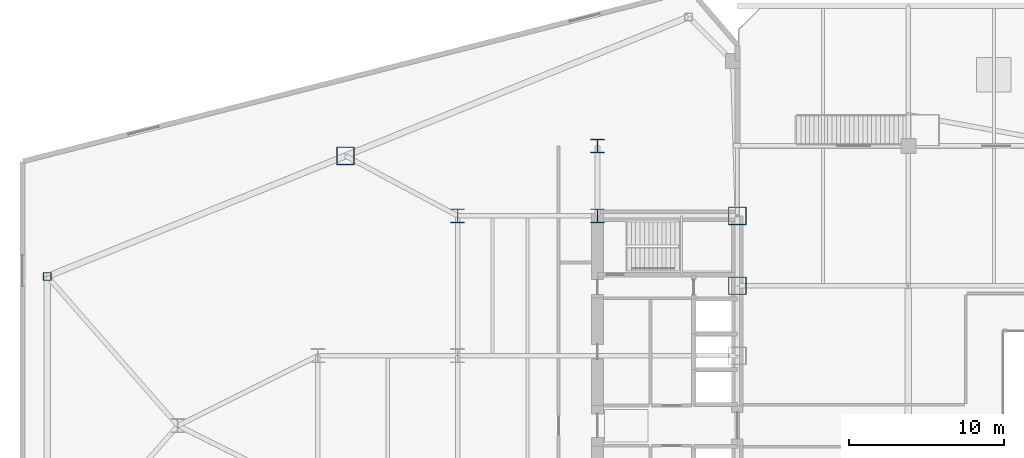
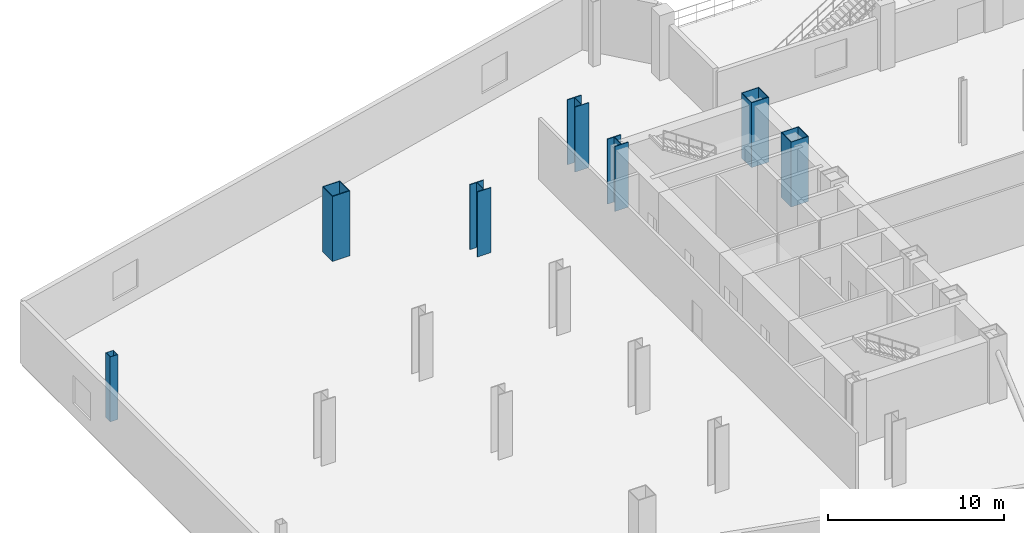
# One storey, part 3 of 27: 7 columns.
"""IFC4 building model written with IfcOpenShell, lengths in metres."""

import ifcopenshell
import ifcopenshell.guid

model = None  # the IFC model being written
_history = None  # IfcOwnerHistory: only IFC2X3 demands one
_inside = {}  # id of a spatial element -> (the spatial element, [elements in it])
_under = {}  # id of a project, library or spatial element -> (it, [spatial elements below it])
_declared = {}  # id of a project -> (the project, [libraries it declares])
_typed = {}  # id of a type object -> (the type object, [elements of that type])
_made_of = {}  # id of a material, layer set ... -> (it, [elements and type objects made of it])


def new_model(schema):
    """Start an empty IFC model of exactly this schema.

    Asked for "IFC4X3", IfcOpenShell would pick the latest addendum, in which some entities
    have other attributes; the version numbers below select the first issue.
    IFC2X3 requires an IfcOwnerHistory on every rooted entity: one is made here for all.
    """
    global model, _history
    if schema == "IFC4X3":
        model = ifcopenshell.file(schema_version=(4, 3, 0, 0))
    else:
        model = ifcopenshell.file(schema=schema)
    _inside.clear()
    _under.clear()
    _declared.clear()
    _typed.clear()
    _made_of.clear()
    _history = None
    if model.schema == "IFC2X3":
        org = make("IfcOrganization", Name="unknown")
        user = make(
            "IfcPersonAndOrganization",
            ThePerson=make("IfcPerson", FamilyName="unknown"),
            TheOrganization=org,
        )
        app = make(
            "IfcApplication",
            ApplicationDeveloper=org,
            Version="unknown",
            ApplicationFullName="unknown",
            ApplicationIdentifier="unknown",
        )
        _history = make(
            "IfcOwnerHistory",
            OwningUser=user,
            OwningApplication=app,
            ChangeAction="ADDED",
            CreationDate=0,
        )
    return model


def make(cls, **values):
    """One entity of the class cls with the attributes given. An attribute that is None is left unset."""
    return model.create_entity(
        cls, **{name: value for name, value in values.items() if value is not None}
    )


def rooted(cls, **values):
    """An entity with a GlobalId (a new one), such as an element, a storey or a relation."""
    return make(cls, GlobalId=ifcopenshell.guid.new(), OwnerHistory=_history, **values)


def si_unit(unit_type, name, prefix=None):
    """IfcSIUnit, for example si_unit("LENGTHUNIT", "METRE", prefix="MILLI")."""
    return make("IfcSIUnit", UnitType=unit_type, Prefix=prefix, Name=name)


def assignment(units):
    """IfcUnitAssignment: the units of a project."""
    return None if units is None else make("IfcUnitAssignment", Units=units)


def point(xyz):
    """IfcCartesianPoint."""
    return None if xyz is None else make("IfcCartesianPoint", Coordinates=xyz)


def direction(xyz):
    """IfcDirection."""
    return None if xyz is None else make("IfcDirection", DirectionRatios=xyz)


def frame(location, z_axis=None, x_axis=None):
    """IfcAxis2Placement3D, a coordinate frame: its origin and axes. An axis left out is left unset."""
    return make(
        "IfcAxis2Placement3D",
        Location=point(location),
        Axis=direction(z_axis),
        RefDirection=direction(x_axis),
    )


def frame_2d(location, x_axis=None):
    """IfcAxis2Placement2D, a coordinate frame in the plane: its origin and x axis."""
    return make(
        "IfcAxis2Placement2D", Location=point(location), RefDirection=direction(x_axis)
    )


def origin():
    """The frame at (0, 0, 0) with its axes left unset."""
    return frame((0.0, 0.0, 0.0))


def origin_2d():
    """The frame at (0, 0) in the plane with its x axis left unset."""
    return frame_2d((0.0, 0.0))


def place(relative_to, where):
    """IfcLocalPlacement: puts the frame where relative to a parent placement (None: the world)."""
    return make(
        "IfcLocalPlacement", PlacementRelTo=relative_to, RelativePlacement=where
    )


def context(
    kind, dimensions, precision=None, world=None, true_north=None, identifier=None
):
    """IfcGeometricRepresentationContext, for example the 3D "Model" context."""
    return make(
        "IfcGeometricRepresentationContext",
        ContextIdentifier=identifier,
        ContextType=kind,
        CoordinateSpaceDimension=dimensions,
        Precision=precision,
        WorldCoordinateSystem=world,
        TrueNorth=true_north,
    )


def subcontext(parent, identifier, kind, view, scale=None):
    """IfcGeometricRepresentationSubContext, for example "Body" below "Model"."""
    return make(
        "IfcGeometricRepresentationSubContext",
        ContextIdentifier=identifier,
        ContextType=kind,
        ParentContext=parent,
        TargetScale=scale,
        TargetView=view,
    )


def project(units=None, contexts=None):
    """IfcProject with its units and contexts."""
    return rooted(
        "IfcProject",
        Name="project",
        RepresentationContexts=contexts,
        UnitsInContext=assignment(units),
    )


def spatial(cls, under=None, at=None, **own):
    """A site, building, storey or space (cls), placed at a placement, below another one or the project."""
    s = rooted(cls, ObjectPlacement=at, **own)
    if under is not None:
        _under.setdefault(under.id(), (under, []))[1].append(s)
    return s


def profile(cls, at=None, kind="AREA", **sizes):
    """A parametric profile (cls). Its sizes go by their IFC names, for example OverallWidth=200.0."""
    return make(cls, ProfileType=kind, Position=at, **sizes)


def hollow_rectangle(**sizes):
    """IfcRectangleHollowProfileDef."""
    return profile("IfcRectangleHollowProfileDef", **sizes)


def i_section(**sizes):
    """IfcIShapeProfileDef."""
    return profile("IfcIShapeProfileDef", **sizes)


def extrude(swept, where, along, depth):
    """IfcExtrudedAreaSolid: the profile swept, set in the frame where, extruded along a direction by depth."""
    return make(
        "IfcExtrudedAreaSolid",
        SweptArea=swept,
        Position=where,
        ExtrudedDirection=direction(along),
        Depth=depth,
    )


def shape(context_of_items, identifier, shape_type, items):
    """IfcShapeRepresentation: the items that make up one representation, for example the "Body"."""
    return make(
        "IfcShapeRepresentation",
        ContextOfItems=context_of_items,
        RepresentationIdentifier=identifier,
        RepresentationType=shape_type,
        Items=items,
    )


def source(mapping_origin, context_of_items, identifier, shape_type, items):
    """IfcRepresentationMap: a shape defined once, which mapped items show again and again."""
    return make(
        "IfcRepresentationMap",
        MappingOrigin=mapping_origin,
        MappedRepresentation=shape(context_of_items, identifier, shape_type, items),
    )


def transform(
    local_origin,
    x_axis=None,
    y_axis=None,
    z_axis=None,
    scale=None,
    scale2=None,
    scale3=None,
    uniform=True,
):
    """IfcCartesianTransformationOperator3D, or its non-uniform kind. x_axis, y_axis, z_axis: its Axis1, 2, 3."""
    if uniform:
        return make(
            "IfcCartesianTransformationOperator3D",
            Axis1=direction(x_axis),
            Axis2=direction(y_axis),
            LocalOrigin=point(local_origin),
            Scale=scale,
            Axis3=direction(z_axis),
        )
    return make(
        "IfcCartesianTransformationOperator3DnonUniform",
        Axis1=direction(x_axis),
        Axis2=direction(y_axis),
        LocalOrigin=point(local_origin),
        Scale=scale,
        Axis3=direction(z_axis),
        Scale2=scale2,
        Scale3=scale3,
    )


def mapped(mapping_source, mapping_target):
    """IfcMappedItem: shows the shape of a source again, moved by a transform."""
    return make(
        "IfcMappedItem", MappingSource=mapping_source, MappingTarget=mapping_target
    )


def material(Name=None, Category=None):
    """IfcMaterial."""
    return make("IfcMaterial", Name=Name, Category=Category)


def material_profile(
    of_material, cross_section, Name=None, Category=None, Priority=None
):
    """IfcMaterialProfile: a cross section and its material."""
    return make(
        "IfcMaterialProfile",
        Name=Name,
        Material=of_material,
        Profile=cross_section,
        Priority=Priority,
        Category=Category,
    )


def profile_set(profiles, Name=None, composite=None):
    """IfcMaterialProfileSet."""
    return make(
        "IfcMaterialProfileSet",
        Name=Name,
        MaterialProfiles=profiles,
        CompositeProfile=composite,
    )


def made_of(thing, what):
    """Note that an element or type object is made of a material, layer set ...; save() writes the relation."""
    if what is not None:
        _made_of.setdefault(what.id(), (what, []))[1].append(thing)
    return thing


def type_object(cls, material=None, **own):
    """A type object (cls), such as IfcWallType, which elements share."""
    return made_of(rooted(cls, **own), material)


def type_shapes(of_type, sources):
    """Give a type object the sources (RepresentationMaps) that its elements show as mapped items."""
    of_type.RepresentationMaps = sources


def element(
    cls,
    number,
    at=None,
    inside=None,
    cuts=None,
    type_object=None,
    material=None,
    context=None,
    identifier="Body",
    shape_type=None,
    held_by="IfcProductDefinitionShape",
    body=None,
    shapes=None,
    **own,
):
    """One element of the class cls, such as IfcWall. Its Tag is "e" and its number.

    at: its placement. inside: the storey or other place that contains it. cuts: it is an
    opening in that element (IfcRelVoidsElement). A single representation is given by context,
    identifier, shape_type and body (its items); several are given by shapes. held_by: the class
    of the entity that holds the representations. save() writes the other relations.
    """
    e = rooted(cls, Tag="e%d" % number, ObjectPlacement=at, **own)
    if body is not None:
        shapes = [shape(context, identifier, shape_type, body)]
    if shapes is not None:
        e.Representation = make(held_by, Representations=shapes)
    if inside is not None:
        _inside.setdefault(inside.id(), (inside, []))[1].append(e)
    if cuts is not None:
        rooted(
            "IfcRelVoidsElement", RelatingBuildingElement=cuts, RelatedOpeningElement=e
        )
    if type_object is not None:
        _typed.setdefault(type_object.id(), (type_object, []))[1].append(e)
    return made_of(e, material)


def aggregate(whole, parts):
    """IfcRelAggregates: a whole, such as a stair, and the parts it consists of."""
    return rooted("IfcRelAggregates", RelatingObject=whole, RelatedObjects=parts)


def save(model, path):
    """Write the relations noted so far, then the file.

    IfcRelAggregates (storeys below a building ...), IfcRelContainedInSpatialStructure (elements
    in a storey), IfcRelDefinesByType, IfcRelAssociatesMaterial and IfcRelDeclares: one each for
    every whole, place, type object, material and project.
    """
    for whole, parts in _under.values():
        aggregate(whole, parts)
    for where, things in _inside.values():
        rooted(
            "IfcRelContainedInSpatialStructure",
            RelatedElements=things,
            RelatingStructure=where,
        )
    for kind, things in _typed.values():
        rooted("IfcRelDefinesByType", RelatedObjects=things, RelatingType=kind)
    for what, things in _made_of.values():
        rooted("IfcRelAssociatesMaterial", RelatedObjects=things, RelatingMaterial=what)
    for by, libraries in _declared.values():
        rooted("IfcRelDeclares", RelatingContext=by, RelatedDefinitions=libraries)
    model.write(path)


model = new_model("IFC4")

# Units and contexts
model_context = context("Model", 3, precision=1e-05, world=origin(), true_north=direction((0.0, 1.0)))
body_context = subcontext(model_context, "Body", "Model", "MODEL_VIEW")
ifc_project = project(units=[si_unit("LENGTHUNIT", "METRE"), si_unit("AREAUNIT", "SQUARE_METRE"), si_unit("VOLUMEUNIT", "CUBIC_METRE"), si_unit("PLANEANGLEUNIT", "RADIAN"), si_unit("MASSUNIT", "GRAM", prefix="KILO")], contexts=[model_context])

# Site, building, storey
site_placement = place(None, origin())
site = spatial("IfcSite", under=ifc_project, at=site_placement, CompositionType="ELEMENT")
building_placement = place(site_placement, origin())
building = spatial("IfcBuilding", under=site, at=building_placement, Name="Seokmaru Belvedere", CompositionType="ELEMENT")
storey_placement = place(building_placement, frame((0.0, 0.0, 9.89990234375)))
storey = spatial("IfcBuildingStorey", under=building, at=storey_placement, Name="L02", CompositionType="ELEMENT", Elevation=9.89990234375)

# Columns
ifc_material_1 = material(Name="Steel HSA650 (650 MPa)", Category="steel")
ifc_material_profile_1 = material_profile(ifc_material_1, hollow_rectangle(XDim=1.14990234375, YDim=1.14990234375, WallThickness=0.048095703125, at=origin_2d()), Name="BOX-1150x1150x48")
ifc_profile_set_1 = profile_set([ifc_material_profile_1], Name="Steel HSA650 (650 MPa)")
column_type_1 = type_object("IfcColumnType", Name="Portal Spine Column BOX-1150", PredefinedType="COLUMN", material=ifc_profile_set_1)
shared_shape_1 = source(origin(), body_context, "Body", "SweptSolid", [
    extrude(hollow_rectangle(XDim=1.14990234375, YDim=1.14990234375, WallThickness=0.048095703125, at=origin_2d()), origin(), (0.0, 0.0, 1.0), 4.5),
])
type_shapes(column_type_1, [shared_shape_1])
for number, where, z_axis, x_axis, name in (
    (1, (-27.5, 9.0, 0.0), (0.0, 0.0, 1.0), (1.0, 0.0, 0.0), "L02 Column WS5"),
    (2, (-27.5, 13.5, 0.0), (0.0, 0.0, 1.0), (1.0, 0.0, 0.0), "L02 Column WS6"),
    (3, (-52.715576171875, 17.360595703125, 0.0), (0.0, 0.0, 1.0), (1.0, 0.0, 0.0), "L02 Column WFLK_N2"),
):
    element("IfcColumn", number, at=place(storey_placement, frame(where, z_axis=z_axis, x_axis=x_axis)), inside=storey, type_object=column_type_1, Name=name, PredefinedType="COLUMN", context=body_context, shape_type="MappedRepresentation", body=[
        mapped(shared_shape_1, transform((0.0, 0.0, 0.0), scale=1.0)),
    ])
ifc_material_profile_2 = material_profile(ifc_material_1, i_section(OverallWidth=0.89990234375, OverallDepth=0.89990234375, WebThickness=0.035888671875, FlangeThickness=0.054931640625, at=origin_2d()), Name="H-900x900x36x55")
ifc_profile_set_2 = profile_set([ifc_material_profile_2], Name="Steel HSA650 (650 MPa)")
column_type_2 = type_object("IfcColumnType", Name="Lower Interior Column H-900", PredefinedType="COLUMN", material=ifc_profile_set_2)
shared_shape_2 = source(origin(), body_context, "Body", "SweptSolid", [
    extrude(i_section(OverallWidth=0.89990234375, OverallDepth=0.89990234375, WebThickness=0.035888671875, FlangeThickness=0.054931640625, at=origin_2d()), origin(), (0.0, 0.0, 1.0), 4.5),
])
type_shapes(column_type_2, [shared_shape_2])
for number, where, z_axis, x_axis, name in (
    (4, (-36.5, 13.5, 0.0), (0.0, 0.0, 1.0), (1.0, 0.0, 0.0), "L02 Column WC3"),
    (5, (-36.5, 18.0, 0.0), (0.0, 0.0, 1.0), (1.0, 0.0, 0.0), "L02 Column WC4"),
    (6, (-45.5, 13.5, 0.0), (0.0, 0.0, 1.0), (1.0, 0.0, 0.0), "L02 Column WG5_4"),
):
    element("IfcColumn", number, at=place(storey_placement, frame(where, z_axis=z_axis, x_axis=x_axis)), inside=storey, type_object=column_type_2, Name=name, PredefinedType="COLUMN", context=body_context, shape_type="MappedRepresentation", body=[
        mapped(shared_shape_2, transform((0.0, 0.0, 0.0), scale=1.0)),
    ])
ifc_material_2 = material(Name="Steel SM355 (355 MPa)", Category="steel")
ifc_material_profile_3 = material_profile(ifc_material_2, hollow_rectangle(XDim=0.5, YDim=0.5, WallThickness=0.02001953125, at=origin_2d()), Name="HSS-500x500x20")
ifc_profile_set_3 = profile_set([ifc_material_profile_3], Name="Steel SM355 (355 MPa)")
column_type_3 = type_object("IfcColumnType", Name="Perimeter Facet Column HSS-500", PredefinedType="COLUMN", material=ifc_profile_set_3)
shared_shape_3 = source(origin(), body_context, "Body", "SweptSolid", [
    extrude(hollow_rectangle(XDim=0.5, YDim=0.5, WallThickness=0.02001953125, at=origin_2d()), origin(), (0.0, 0.0, 1.0), 4.5),
])
type_shapes(column_type_3, [shared_shape_3])
column_placement = place(storey_placement, frame((-71.89990234375, 9.595703125, 0.0), z_axis=(0.0, 0.0, 1.0), x_axis=(1.0, 0.0, 0.0)))
element("IfcColumn", 7, at=column_placement, inside=storey, type_object=column_type_3, Name="L02 Column WF4", PredefinedType="COLUMN", context=body_context, shape_type="MappedRepresentation", body=[
    mapped(shared_shape_3, transform((0.0, 0.0, 0.0), scale=1.0)),
])

save(model, "model.ifc")
